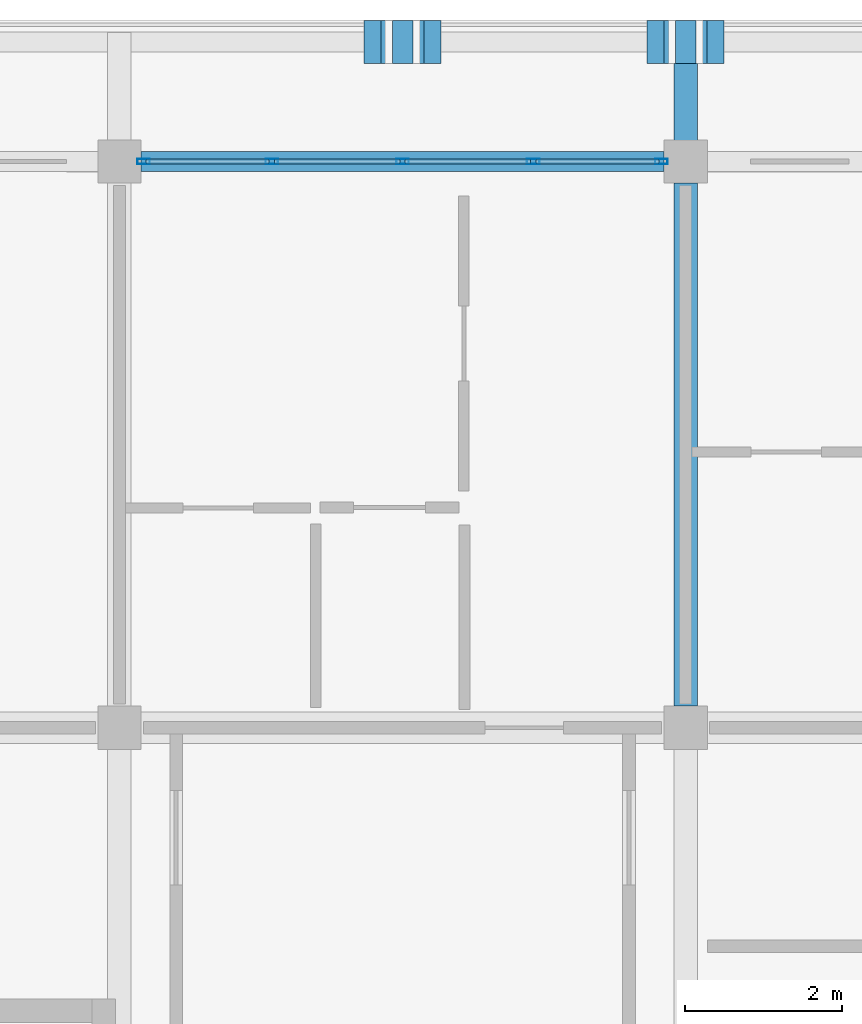
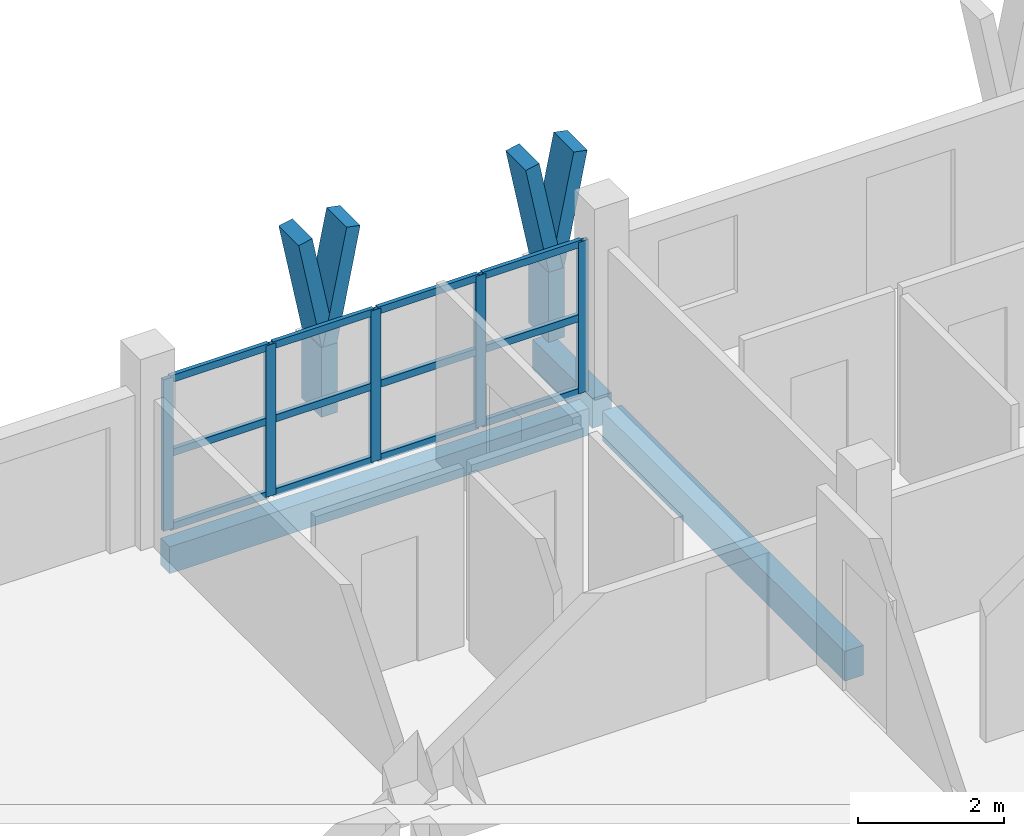
# One storey, part 25 of 67: 23 members, 3 beams, 1 element without a shape of its own.
"""IFC4 building model written with IfcOpenShell, lengths in metres."""

from ifc_helpers import new_model, si_unit, direction, frame, origin, origin_2d, place, context, subcontext, project, spatial, rectangle, hollow_rectangle, extrude, material, material_profile, profile_set, type_object, element, aggregate, save


model = new_model("IFC4")

# Units and contexts
model_context = context("Model", 3, precision=1e-05, world=origin(), true_north=direction((0.0, 1.0)))
body_context = subcontext(model_context, "Body", "Model", "MODEL_VIEW")
ifc_project = project(units=[si_unit("LENGTHUNIT", "METRE"), si_unit("AREAUNIT", "SQUARE_METRE"), si_unit("VOLUMEUNIT", "CUBIC_METRE"), si_unit("PLANEANGLEUNIT", "RADIAN"), si_unit("MASSUNIT", "GRAM", prefix="KILO")], contexts=[model_context])

# Site, building, storey
site_placement = place(None, origin())
site = spatial("IfcSite", under=ifc_project, at=site_placement, CompositionType="ELEMENT")
building_placement = place(site_placement, origin())
building = spatial("IfcBuilding", under=site, at=building_placement, Name="Suanplinth Sawtooth Commons", CompositionType="ELEMENT")
storey_placement = place(building_placement, frame((0.0, 0.0, 25.10009765625)))
storey = spatial("IfcBuildingStorey", under=building, at=storey_placement, Name="L07", CompositionType="ELEMENT", Elevation=25.10009765625)

# Beams
ifc_material_1 = material(Name="Precast concrete C40/50", Category="concrete")
ifc_material_profile_1 = material_profile(ifc_material_1, rectangle(XDim=0.300048828125, YDim=0.5, at=origin_2d()), Name="PC-BM 300x500")
ifc_profile_set_1 = profile_set([ifc_material_profile_1], Name="Precast concrete C40/50")
beam_type_1 = type_object("IfcBeamType", Name="B-07", PredefinedType="BEAM", material=ifc_profile_set_1)
beam_1_placement = place(storey_placement, frame((151.199951171875, 115.47509765625, -0.47021484375), z_axis=(0.0, 1.0, 0.0), x_axis=(-1.0, 0.0, 0.0)))
element("IfcBeam", 1, at=beam_1_placement, inside=storey, type_object=beam_type_1, Name="BMY-L07-B-21-16", PredefinedType="BEAM", context=body_context, shape_type="SweptSolid", body=[
    extrude(rectangle(XDim=0.300048828125, YDim=0.5, at=origin_2d()), origin(), (0.0, 0.0, 1.0), 6.64990234375),
])
beam_2_placement = place(storey_placement, frame((151.199951171875, 122.39990234375, -0.43017578125), z_axis=(0.0, 1.0, 0.0), x_axis=(-1.0, 0.0, 0.0)))
element("IfcBeam", 2, at=beam_2_placement, inside=storey, type_object=beam_type_1, Name="Balcony Outrigger L07-B-N-21", PredefinedType="BEAM", context=body_context, shape_type="SweptSolid", body=[
    extrude(rectangle(XDim=0.300048828125, YDim=0.5, at=origin_2d()), origin(), (0.0, 0.0, 1.0), 1.64013671875),
])
ifc_material_profile_2 = material_profile(ifc_material_1, rectangle(XDim=0.25, YDim=0.449951171875, at=origin_2d()), Name="PC-SP 250x450")
ifc_profile_set_2 = profile_set([ifc_material_profile_2], Name="Precast concrete C40/50")
beam_type_2 = type_object("IfcBeamType", Name="B-09", PredefinedType="SPANDREL", material=ifc_profile_set_2)
beam_3_placement = place(storey_placement, frame((144.27490234375, 122.39990234375, -0.445068359375), z_axis=(1.0, 0.0, 0.0), x_axis=(0.0, 1.0, 0.0)))
element("IfcBeam", 3, at=beam_3_placement, inside=storey, type_object=beam_type_2, Name="BMX-L07-B-20-17", PredefinedType="SPANDREL", context=body_context, shape_type="SweptSolid", body=[
    extrude(rectangle(XDim=0.25, YDim=0.449951171875, at=origin_2d()), origin(), (0.0, 0.0, 1.0), 6.650146484375),
])

# Members
ifc_material_2 = material(Name="Pigmented precast concrete C40/50", Category="concrete")
ifc_material_profile_3 = material_profile(ifc_material_2, rectangle(XDim=0.260009765625, YDim=0.550048828125, at=origin_2d()), Name="PC-FIN 260x550")
ifc_profile_set_3 = profile_set([ifc_material_profile_3], Name="Pigmented precast concrete C40/50")
member_type_1 = type_object("IfcMemberType", Name="M-09", PredefinedType="USERDEFINED", material=ifc_profile_set_3)
for number, where, z_axis, x_axis, name in (
    (4, (147.60009765625, 123.919921875, 0.0), (0.0, 0.0, 1.0), (1.0, 0.0, 0.0), "Y-Blade Stem L07-B-N-02"),
    (5, (151.199951171875, 123.919921875, 0.0), (0.0, 0.0, 1.0), (1.0, 0.0, 0.0), "Y-Blade Stem L07-B-N-03"),
):
    element("IfcMember", number, at=place(storey_placement, frame(where, z_axis=z_axis, x_axis=x_axis)), inside=storey, type_object=member_type_1, Name=name, ObjectType="SHADING FIN", PredefinedType="USERDEFINED", context=body_context, shape_type="SweptSolid", body=[
        extrude(rectangle(XDim=0.260009765625, YDim=0.550048828125, at=origin_2d()), origin(), (0.0, 0.0, 1.0), 1.169921875),
    ])
ifc_material_profile_4 = material_profile(ifc_material_2, rectangle(XDim=0.219970703125, YDim=0.550048828125, at=origin_2d()), Name="PC-FIN 220x550")
ifc_profile_set_4 = profile_set([ifc_material_profile_4], Name="Pigmented precast concrete C40/50")
member_type_2 = type_object("IfcMemberType", Name="M-10", PredefinedType="USERDEFINED", material=ifc_profile_set_4)
member_1_placement = place(storey_placement, frame((147.60009765625, 123.919921875, 1.1298828125), z_axis=(-0.196431120402, 0.0, 0.980517626021), x_axis=(0.980517626021, 0.0, 0.196431120402)))
element("IfcMember", 6, at=member_1_placement, inside=storey, type_object=member_type_2, Name="Y-Blade Arm L L07-B-N-02", ObjectType="SHADING FIN", PredefinedType="USERDEFINED", context=body_context, shape_type="SweptSolid", body=[
    extrude(rectangle(XDim=0.219970703125, YDim=0.550048828125, at=origin_2d()), origin(), (0.0, 0.0, 1.0), 1.937744140625),
])
for number, where, z_axis, x_axis, name in (
    (7, (147.60009765625, 123.919921875, 1.1298828125), (0.196309979414, 0.0, 0.980541886909), (-0.980541886909, 0.0, 0.196309979414), "Y-Blade Arm R L07-B-N-02"),
    (8, (151.199951171875, 123.919921875, 1.1298828125), (-0.196309979414, 0.0, 0.980541886909), (0.980541886909, 0.0, 0.196309979414), "Y-Blade Arm L L07-B-N-03"),
):
    element("IfcMember", number, at=place(storey_placement, frame(where, z_axis=z_axis, x_axis=x_axis)), inside=storey, type_object=member_type_2, Name=name, ObjectType="SHADING FIN", PredefinedType="USERDEFINED", context=body_context, shape_type="SweptSolid", body=[
        extrude(rectangle(XDim=0.219970703125, YDim=0.550048828125, at=origin_2d()), origin(), (0.0, 0.0, 1.0), 1.9375),
    ])
member_2_placement = place(storey_placement, frame((151.199951171875, 123.919921875, 1.1298828125), z_axis=(0.196431120402, 0.0, 0.980517626021), x_axis=(-0.980517626021, 0.0, 0.196431120402)))
element("IfcMember", 9, at=member_2_placement, inside=storey, type_object=member_type_2, Name="Y-Blade Arm R L07-B-N-03", ObjectType="SHADING FIN", PredefinedType="USERDEFINED", context=body_context, shape_type="SweptSolid", body=[
    extrude(rectangle(XDim=0.219970703125, YDim=0.550048828125, at=origin_2d()), origin(), (0.0, 0.0, 1.0), 1.937744140625),
])

# Curtain wall, members
ifc_material_3 = material(Name="Anodized aluminium and low-E glazing", Category="aluminium")
curtain_wall_type = type_object("IfcCurtainWallType", Name="CW-06", PredefinedType="USERDEFINED", material=ifc_material_3)
curtain_wall_placement = place(storey_placement, origin())
curtain_wall = element("IfcCurtainWall", 10, at=curtain_wall_placement, inside=storey, type_object=curtain_wall_type, Name="Curtain Wall CW-L07-B-LOUNGE-20", ObjectType="CURTAIN WALL", PredefinedType="USERDEFINED")
ifc_material_4 = material(Name="Anodized aluminium 6063-T6", Category="aluminium")
ifc_material_profile_5 = material_profile(ifc_material_4, hollow_rectangle(XDim=0.06494140625, YDim=0.159912109375, WallThickness=0.00390625, at=origin_2d()), Name="ALU-MUL 65x160")
ifc_profile_set_5 = profile_set([ifc_material_profile_5], Name="Anodized aluminium 6063-T6")
member_type_3 = type_object("IfcMemberType", Name="M-13", PredefinedType="MULLION", material=ifc_profile_set_5)
member_3_placement = place(storey_placement, frame((144.3076171875, 122.39990234375, 0.0), z_axis=(0.0, 0.0, 1.0), x_axis=(0.0, 1.0, 0.0)))
member_3 = element("IfcMember", 11, at=member_3_placement, type_object=member_type_3, Name="CW-06 mullion 1", PredefinedType="MULLION", context=body_context, shape_type="SweptSolid", body=[
    extrude(hollow_rectangle(XDim=0.06494140625, YDim=0.159912109375, WallThickness=0.00390625, at=origin_2d()), origin(), (0.0, 0.0, 1.0), 2.539794921875),
])
member_4_placement = place(storey_placement, frame((145.9375, 122.39990234375, 0.0), z_axis=(0.0, 0.0, 1.0), x_axis=(0.0, 1.0, 0.0)))
member_4 = element("IfcMember", 12, at=member_4_placement, type_object=member_type_3, Name="CW-06 mullion 2", PredefinedType="MULLION", context=body_context, shape_type="SweptSolid", body=[
    extrude(hollow_rectangle(XDim=0.06494140625, YDim=0.159912109375, WallThickness=0.00390625, at=origin_2d()), origin(), (0.0, 0.0, 1.0), 2.539794921875),
])
member_5_placement = place(storey_placement, frame((147.60009765625, 122.39990234375, 0.0), z_axis=(0.0, 0.0, 1.0), x_axis=(0.0, 1.0, 0.0)))
member_5 = element("IfcMember", 13, at=member_5_placement, type_object=member_type_3, Name="CW-06 mullion 3", PredefinedType="MULLION", context=body_context, shape_type="SweptSolid", body=[
    extrude(hollow_rectangle(XDim=0.06494140625, YDim=0.159912109375, WallThickness=0.00390625, at=origin_2d()), origin(), (0.0, 0.0, 1.0), 2.539794921875),
])
member_6_placement = place(storey_placement, frame((149.262451171875, 122.39990234375, 0.0), z_axis=(0.0, 0.0, 1.0), x_axis=(0.0, 1.0, 0.0)))
member_6 = element("IfcMember", 14, at=member_6_placement, type_object=member_type_3, Name="CW-06 mullion 4", PredefinedType="MULLION", context=body_context, shape_type="SweptSolid", body=[
    extrude(hollow_rectangle(XDim=0.06494140625, YDim=0.159912109375, WallThickness=0.00390625, at=origin_2d()), origin(), (0.0, 0.0, 1.0), 2.539794921875),
])
member_7_placement = place(storey_placement, frame((150.892578125, 122.39990234375, 0.0), z_axis=(0.0, 0.0, 1.0), x_axis=(0.0, 1.0, 0.0)))
member_7 = element("IfcMember", 15, at=member_7_placement, type_object=member_type_3, Name="CW-06 mullion 5", PredefinedType="MULLION", context=body_context, shape_type="SweptSolid", body=[
    extrude(hollow_rectangle(XDim=0.06494140625, YDim=0.159912109375, WallThickness=0.00390625, at=origin_2d()), origin(), (0.0, 0.0, 1.0), 2.539794921875),
])
ifc_material_profile_6 = material_profile(ifc_material_4, hollow_rectangle(XDim=0.06494140625, YDim=0.1201171875, WallThickness=0.00390625, at=origin_2d()), Name="ALU-TRN 65x120")
ifc_profile_set_6 = profile_set([ifc_material_profile_6], Name="Anodized aluminium 6063-T6")
member_type_4 = type_object("IfcMemberType", Name="M-15", PredefinedType="USERDEFINED", material=ifc_profile_set_6)
member_8_placement = place(storey_placement, frame((144.340087890625, 122.39990234375, 0.032470703125), z_axis=(1.0, 0.0, 0.0), x_axis=(0.0, 1.0, 0.0)))
member_8 = element("IfcMember", 16, at=member_8_placement, type_object=member_type_4, Name="CW-06 transom 1.1", ObjectType="TRANSOM", PredefinedType="USERDEFINED", context=body_context, shape_type="SweptSolid", body=[
    extrude(hollow_rectangle(XDim=0.06494140625, YDim=0.1201171875, WallThickness=0.00390625, at=origin_2d()), origin(), (0.0, 0.0, 1.0), 1.56494140625),
])
member_9_placement = place(storey_placement, frame((144.340087890625, 122.39990234375, 1.27001953125), z_axis=(1.0, 0.0, 0.0), x_axis=(0.0, 1.0, 0.0)))
member_9 = element("IfcMember", 17, at=member_9_placement, type_object=member_type_4, Name="CW-06 transom 1.2", ObjectType="TRANSOM", PredefinedType="USERDEFINED", context=body_context, shape_type="SweptSolid", body=[
    extrude(hollow_rectangle(XDim=0.06494140625, YDim=0.1201171875, WallThickness=0.00390625, at=origin_2d()), origin(), (0.0, 0.0, 1.0), 1.56494140625),
])
member_10_placement = place(storey_placement, frame((144.340087890625, 122.39990234375, 2.50732421875), z_axis=(1.0, 0.0, 0.0), x_axis=(0.0, 1.0, 0.0)))
member_10 = element("IfcMember", 18, at=member_10_placement, type_object=member_type_4, Name="CW-06 transom 1.3", ObjectType="TRANSOM", PredefinedType="USERDEFINED", context=body_context, shape_type="SweptSolid", body=[
    extrude(hollow_rectangle(XDim=0.06494140625, YDim=0.1201171875, WallThickness=0.00390625, at=origin_2d()), origin(), (0.0, 0.0, 1.0), 1.56494140625),
])
member_11_placement = place(storey_placement, frame((145.969970703125, 122.39990234375, 0.032470703125), z_axis=(1.0, 0.0, 0.0), x_axis=(0.0, 1.0, 0.0)))
member_11 = element("IfcMember", 19, at=member_11_placement, type_object=member_type_4, Name="CW-06 transom 2.1", ObjectType="TRANSOM", PredefinedType="USERDEFINED", context=body_context, shape_type="SweptSolid", body=[
    extrude(hollow_rectangle(XDim=0.06494140625, YDim=0.1201171875, WallThickness=0.00390625, at=origin_2d()), origin(), (0.0, 0.0, 1.0), 1.597412109375),
])
member_12_placement = place(storey_placement, frame((145.969970703125, 122.39990234375, 1.27001953125), z_axis=(1.0, 0.0, 0.0), x_axis=(0.0, 1.0, 0.0)))
member_12 = element("IfcMember", 20, at=member_12_placement, type_object=member_type_4, Name="CW-06 transom 2.2", ObjectType="TRANSOM", PredefinedType="USERDEFINED", context=body_context, shape_type="SweptSolid", body=[
    extrude(hollow_rectangle(XDim=0.06494140625, YDim=0.1201171875, WallThickness=0.00390625, at=origin_2d()), origin(), (0.0, 0.0, 1.0), 1.597412109375),
])
member_13_placement = place(storey_placement, frame((145.969970703125, 122.39990234375, 2.50732421875), z_axis=(1.0, 0.0, 0.0), x_axis=(0.0, 1.0, 0.0)))
member_13 = element("IfcMember", 21, at=member_13_placement, type_object=member_type_4, Name="CW-06 transom 2.3", ObjectType="TRANSOM", PredefinedType="USERDEFINED", context=body_context, shape_type="SweptSolid", body=[
    extrude(hollow_rectangle(XDim=0.06494140625, YDim=0.1201171875, WallThickness=0.00390625, at=origin_2d()), origin(), (0.0, 0.0, 1.0), 1.597412109375),
])
member_14_placement = place(storey_placement, frame((147.632568359375, 122.39990234375, 0.032470703125), z_axis=(1.0, 0.0, 0.0), x_axis=(0.0, 1.0, 0.0)))
member_14 = element("IfcMember", 22, at=member_14_placement, type_object=member_type_4, Name="CW-06 transom 3.1", ObjectType="TRANSOM", PredefinedType="USERDEFINED", context=body_context, shape_type="SweptSolid", body=[
    extrude(hollow_rectangle(XDim=0.06494140625, YDim=0.1201171875, WallThickness=0.00390625, at=origin_2d()), origin(), (0.0, 0.0, 1.0), 1.597412109375),
])
member_15_placement = place(storey_placement, frame((147.632568359375, 122.39990234375, 1.27001953125), z_axis=(1.0, 0.0, 0.0), x_axis=(0.0, 1.0, 0.0)))
member_15 = element("IfcMember", 23, at=member_15_placement, type_object=member_type_4, Name="CW-06 transom 3.2", ObjectType="TRANSOM", PredefinedType="USERDEFINED", context=body_context, shape_type="SweptSolid", body=[
    extrude(hollow_rectangle(XDim=0.06494140625, YDim=0.1201171875, WallThickness=0.00390625, at=origin_2d()), origin(), (0.0, 0.0, 1.0), 1.597412109375),
])
member_16_placement = place(storey_placement, frame((147.632568359375, 122.39990234375, 2.50732421875), z_axis=(1.0, 0.0, 0.0), x_axis=(0.0, 1.0, 0.0)))
member_16 = element("IfcMember", 24, at=member_16_placement, type_object=member_type_4, Name="CW-06 transom 3.3", ObjectType="TRANSOM", PredefinedType="USERDEFINED", context=body_context, shape_type="SweptSolid", body=[
    extrude(hollow_rectangle(XDim=0.06494140625, YDim=0.1201171875, WallThickness=0.00390625, at=origin_2d()), origin(), (0.0, 0.0, 1.0), 1.597412109375),
])
member_17_placement = place(storey_placement, frame((149.294921875, 122.39990234375, 0.032470703125), z_axis=(1.0, 0.0, 0.0), x_axis=(0.0, 1.0, 0.0)))
member_17 = element("IfcMember", 25, at=member_17_placement, type_object=member_type_4, Name="CW-06 transom 4.1", ObjectType="TRANSOM", PredefinedType="USERDEFINED", context=body_context, shape_type="SweptSolid", body=[
    extrude(hollow_rectangle(XDim=0.06494140625, YDim=0.1201171875, WallThickness=0.00390625, at=origin_2d()), origin(), (0.0, 0.0, 1.0), 1.565185546875),
])
member_18_placement = place(storey_placement, frame((149.294921875, 122.39990234375, 1.27001953125), z_axis=(1.0, 0.0, 0.0), x_axis=(0.0, 1.0, 0.0)))
member_18 = element("IfcMember", 26, at=member_18_placement, type_object=member_type_4, Name="CW-06 transom 4.2", ObjectType="TRANSOM", PredefinedType="USERDEFINED", context=body_context, shape_type="SweptSolid", body=[
    extrude(hollow_rectangle(XDim=0.06494140625, YDim=0.1201171875, WallThickness=0.00390625, at=origin_2d()), origin(), (0.0, 0.0, 1.0), 1.565185546875),
])
member_19_placement = place(storey_placement, frame((149.294921875, 122.39990234375, 2.50732421875), z_axis=(1.0, 0.0, 0.0), x_axis=(0.0, 1.0, 0.0)))
member_19 = element("IfcMember", 27, at=member_19_placement, type_object=member_type_4, Name="CW-06 transom 4.3", ObjectType="TRANSOM", PredefinedType="USERDEFINED", context=body_context, shape_type="SweptSolid", body=[
    extrude(hollow_rectangle(XDim=0.06494140625, YDim=0.1201171875, WallThickness=0.00390625, at=origin_2d()), origin(), (0.0, 0.0, 1.0), 1.565185546875),
])
aggregate(curtain_wall, [member_3, member_4, member_5, member_6, member_7, member_8, member_9, member_10, member_11, member_12, member_13, member_14, member_15, member_16, member_17, member_18, member_19])

save(model, "model.ifc")
